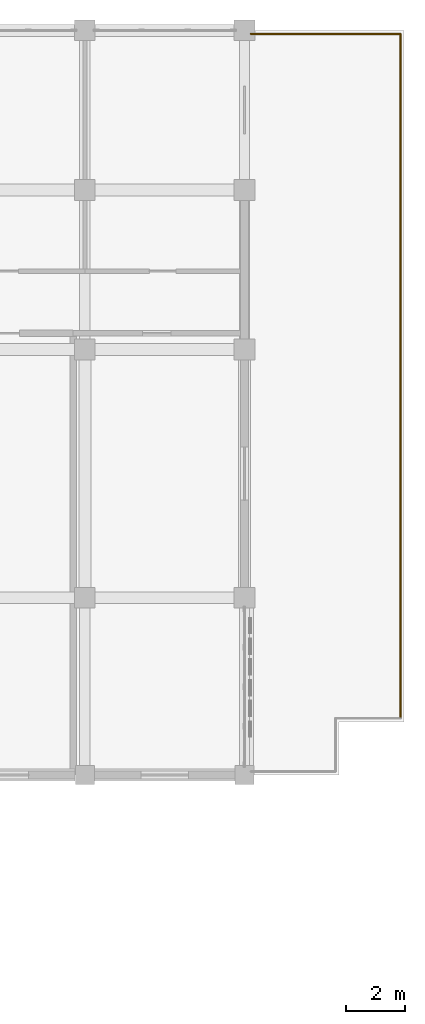
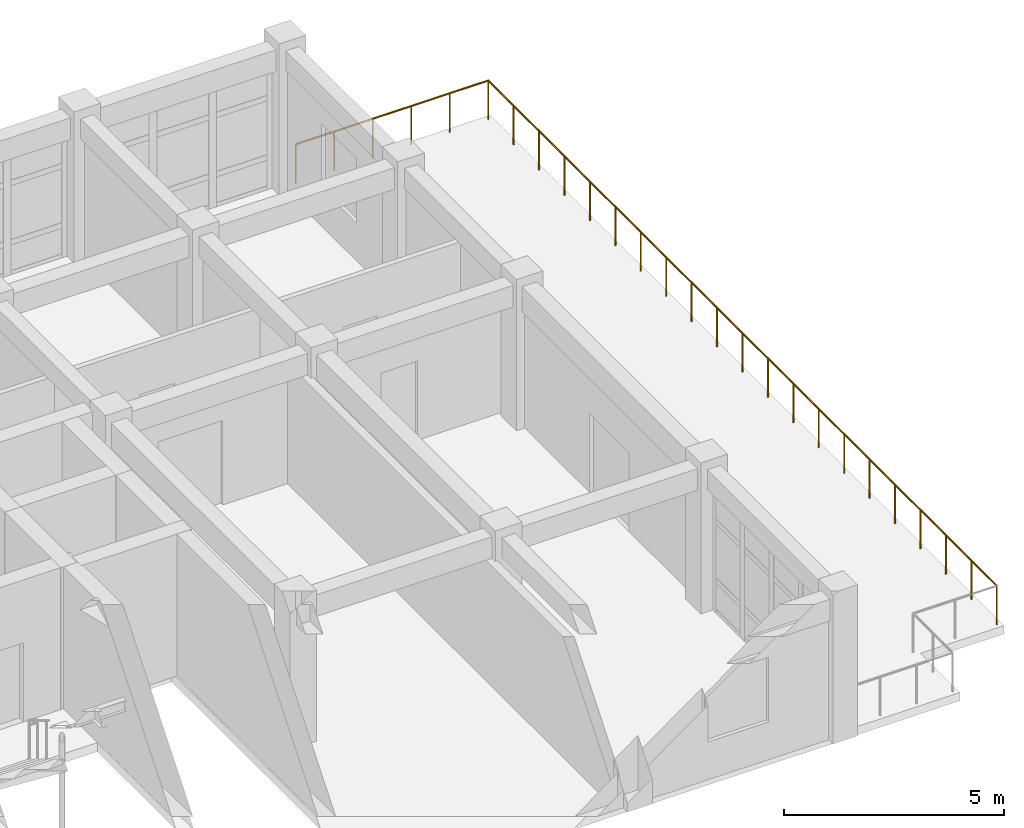
# One storey, part 23 of 23: 2 railings.
"""IFC4 building model written with IfcOpenShell, lengths in metres."""

from ifc_helpers import new_model, si_unit, direction, frame, origin, origin_2d, place, context, subcontext, project, spatial, circle, extrude, material, type_object, element, save


model = new_model("IFC4")

# Units and contexts
model_context = context("Model", 3, precision=1e-05, world=origin(), true_north=direction((0.0, 1.0)))
body_context = subcontext(model_context, "Body", "Model", "MODEL_VIEW")
ifc_project = project(units=[si_unit("LENGTHUNIT", "METRE"), si_unit("AREAUNIT", "SQUARE_METRE"), si_unit("VOLUMEUNIT", "CUBIC_METRE"), si_unit("PLANEANGLEUNIT", "RADIAN"), si_unit("MASSUNIT", "GRAM", prefix="KILO")], contexts=[model_context])

# Site, building, storey
site_placement = place(None, origin())
site = spatial("IfcSite", under=ifc_project, at=site_placement, CompositionType="ELEMENT")
building_placement = place(site_placement, origin())
building = spatial("IfcBuilding", under=site, at=building_placement, Name="Krzemoval Escarpment Law Courts", CompositionType="ELEMENT")
storey_placement = place(building_placement, frame((0.0, 0.0, 33.60009765625)))
storey = spatial("IfcBuildingStorey", under=building, at=storey_placement, Name="L07", CompositionType="ELEMENT", Elevation=33.60009765625)

# Railings
ifc_material = material(Name="Stainless Steel Grade 316L and Laminated Safety Glass Guard", Category="steel")
railing_type = type_object("IfcRailingType", Name="RL-BAL-1100", PredefinedType="BALUSTRADE", material=ifc_material)
railing_1_placement = place(storey_placement, frame((162.219970703125, 118.679931640625, 0.0)))
element("IfcRailing", 1, at=railing_1_placement, inside=storey, type_object=railing_type, Name="Terrace Guardrail BG-L07-037", PredefinedType="BALUSTRADE", context=body_context, shape_type="SweptSolid", body=[
    extrude(circle(Radius=0.02392578125, at=origin_2d()), frame((0.0, 0.0, 1.076171875), z_axis=(1.0, 0.0, 0.0), x_axis=(0.0, 1.0, 0.0)), (0.0, 0.0, 1.0), 5.06005859375),
    extrude(circle(Radius=0.02099609375, at=origin_2d()), origin(), (0.0, 0.0, 1.0), 1.052001953125),
    extrude(circle(Radius=0.02099609375, at=origin_2d()), frame((1.011962890625, 0.0, 0.0)), (0.0, 0.0, 1.0), 1.052001953125),
    extrude(circle(Radius=0.02099609375, at=origin_2d()), frame((2.02392578125, 0.0, 0.0)), (0.0, 0.0, 1.0), 1.052001953125),
    extrude(circle(Radius=0.02099609375, at=origin_2d()), frame((3.0361328125, 0.0, 0.0)), (0.0, 0.0, 1.0), 1.052001953125),
    extrude(circle(Radius=0.02099609375, at=origin_2d()), frame((4.048095703125, 0.0, 0.0)), (0.0, 0.0, 1.0), 1.052001953125),
    extrude(circle(Radius=0.02099609375, at=origin_2d()), frame((5.06005859375, 0.0, 0.0)), (0.0, 0.0, 1.0), 1.052001953125),
])
railing_2_placement = place(storey_placement, frame((167.280029296875, 118.679931640625, 0.0)))
element("IfcRailing", 2, at=railing_2_placement, inside=storey, type_object=railing_type, Name="Terrace Guardrail BG-L07-038", PredefinedType="BALUSTRADE", context=body_context, shape_type="SweptSolid", body=[
    extrude(circle(Radius=0.02392578125, at=origin_2d()), frame((0.0, 0.0, 1.076171875), z_axis=(0.0, -1.0, 0.0), x_axis=(1.0, 0.0, 0.0)), (0.0, 0.0, 1.0), 23.159912109375),
    extrude(circle(Radius=0.02099609375, at=origin_2d()), origin(), (0.0, 0.0, 1.0), 1.052001953125),
    extrude(circle(Radius=0.02099609375, at=origin_2d()), frame((0.0, -1.157958984375, 0.0)), (0.0, 0.0, 1.0), 1.052001953125),
    extrude(circle(Radius=0.02099609375, at=origin_2d()), frame((0.0, -2.31591796875, 0.0)), (0.0, 0.0, 1.0), 1.052001953125),
    extrude(circle(Radius=0.02099609375, at=origin_2d()), frame((0.0, -3.473876953125, 0.0)), (0.0, 0.0, 1.0), 1.052001953125),
    extrude(circle(Radius=0.02099609375, at=origin_2d()), frame((0.0, -4.632080078125, 0.0)), (0.0, 0.0, 1.0), 1.052001953125),
    extrude(circle(Radius=0.02099609375, at=origin_2d()), frame((0.0, -5.7900390625, 0.0)), (0.0, 0.0, 1.0), 1.052001953125),
    extrude(circle(Radius=0.02099609375, at=origin_2d()), frame((0.0, -6.947998046875, 0.0)), (0.0, 0.0, 1.0), 1.052001953125),
    extrude(circle(Radius=0.02099609375, at=origin_2d()), frame((0.0, -8.10595703125, 0.0)), (0.0, 0.0, 1.0), 1.052001953125),
    extrude(circle(Radius=0.02099609375, at=origin_2d()), frame((0.0, -9.263916015625, 0.0)), (0.0, 0.0, 1.0), 1.052001953125),
    extrude(circle(Radius=0.02099609375, at=origin_2d()), frame((0.0, -10.421875, 0.0)), (0.0, 0.0, 1.0), 1.052001953125),
    extrude(circle(Radius=0.02099609375, at=origin_2d()), frame((0.0, -11.580078125, 0.0)), (0.0, 0.0, 1.0), 1.052001953125),
    extrude(circle(Radius=0.02099609375, at=origin_2d()), frame((0.0, -12.738037109375, 0.0)), (0.0, 0.0, 1.0), 1.052001953125),
    extrude(circle(Radius=0.02099609375, at=origin_2d()), frame((0.0, -13.89599609375, 0.0)), (0.0, 0.0, 1.0), 1.052001953125),
    extrude(circle(Radius=0.02099609375, at=origin_2d()), frame((0.0, -15.053955078125, 0.0)), (0.0, 0.0, 1.0), 1.052001953125),
    extrude(circle(Radius=0.02099609375, at=origin_2d()), frame((0.0, -16.2119140625, 0.0)), (0.0, 0.0, 1.0), 1.052001953125),
    extrude(circle(Radius=0.02099609375, at=origin_2d()), frame((0.0, -17.369873046875, 0.0)), (0.0, 0.0, 1.0), 1.052001953125),
    extrude(circle(Radius=0.02099609375, at=origin_2d()), frame((0.0, -18.52783203125, 0.0)), (0.0, 0.0, 1.0), 1.052001953125),
    extrude(circle(Radius=0.02099609375, at=origin_2d()), frame((0.0, -19.68603515625, 0.0)), (0.0, 0.0, 1.0), 1.052001953125),
    extrude(circle(Radius=0.02099609375, at=origin_2d()), frame((0.0, -20.843994140625, 0.0)), (0.0, 0.0, 1.0), 1.052001953125),
    extrude(circle(Radius=0.02099609375, at=origin_2d()), frame((0.0, -22.001953125, 0.0)), (0.0, 0.0, 1.0), 1.052001953125),
    extrude(circle(Radius=0.02099609375, at=origin_2d()), frame((0.0, -23.159912109375, 0.0)), (0.0, 0.0, 1.0), 1.052001953125),
])

save(model, "model.ifc")
